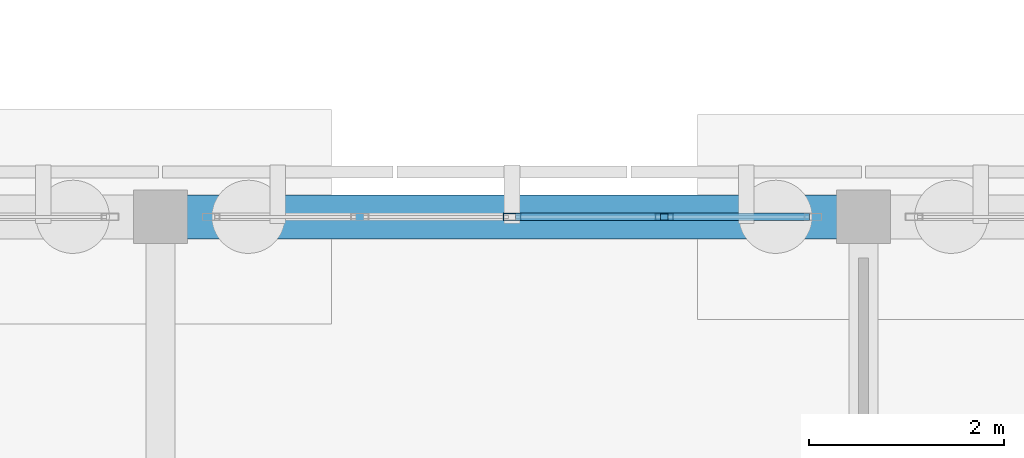
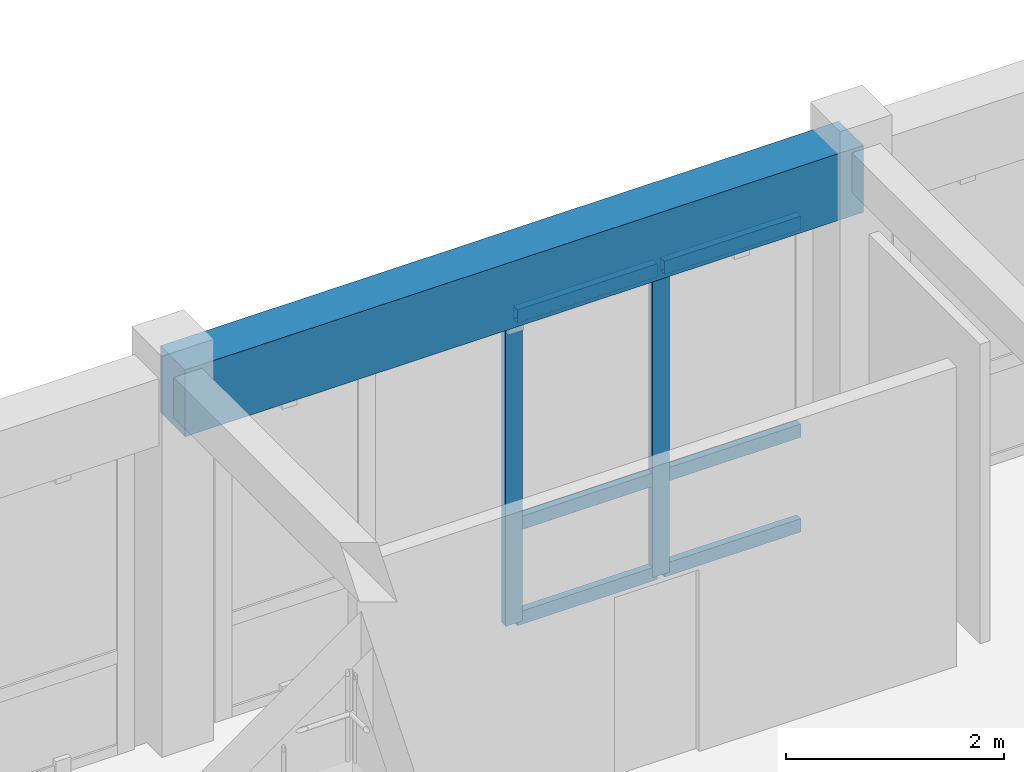
# One storey, part 29 of 111: 8 members, 1 beam, 1 element without a shape of its own.
"""IFC4 building model written with IfcOpenShell, lengths in metres."""

from ifc_helpers import new_model, si_unit, direction, frame, origin, origin_2d, place, context, subcontext, project, spatial, rectangle, hollow_rectangle, extrude, material, material_profile, profile_set, type_object, element, aggregate, save


model = new_model("IFC4")

# Units and contexts
model_context = context("Model", 3, precision=1e-05, world=origin(), true_north=direction((0.0, 1.0)))
body_context = subcontext(model_context, "Body", "Model", "MODEL_VIEW")
ifc_project = project(units=[si_unit("LENGTHUNIT", "METRE"), si_unit("AREAUNIT", "SQUARE_METRE"), si_unit("VOLUMEUNIT", "CUBIC_METRE"), si_unit("PLANEANGLEUNIT", "RADIAN"), si_unit("MASSUNIT", "GRAM", prefix="KILO")], contexts=[model_context])

# Site, building, storey
site_placement = place(None, origin())
site = spatial("IfcSite", under=ifc_project, at=site_placement, CompositionType="ELEMENT")
building_placement = place(site_placement, origin())
building = spatial("IfcBuilding", under=site, at=building_placement, Name="Aldebral Square Health Centre", CompositionType="ELEMENT")
storey_placement = place(building_placement, origin())
storey = spatial("IfcBuildingStorey", under=building, at=storey_placement, Name="L00", CompositionType="ELEMENT", Elevation=0.0)

# Beam
ifc_material_1 = material(Name="Concrete C40/50", Category="concrete")
ifc_material_profile_1 = material_profile(ifc_material_1, rectangle(XDim=0.449951171875, YDim=0.75, at=origin_2d()), Name="RC 450x750")
ifc_profile_set_1 = profile_set([ifc_material_profile_1], Name="Concrete C40/50")
beam_type = type_object("IfcBeamType", Name="BM-G2", PredefinedType="T_BEAM", material=ifc_profile_set_1)
beam_placement = place(storey_placement, frame((72.0, 100.800048828125, 3.844970703125), z_axis=(1.0, 0.0, 0.0), x_axis=(0.0, 1.0, 0.0)))
element("IfcBeam", 1, at=beam_placement, inside=storey, type_object=beam_type, Name="L00 X-beam 11-12/G15", PredefinedType="T_BEAM", context=body_context, shape_type="SweptSolid", body=[
    extrude(rectangle(XDim=0.449951171875, YDim=0.75, at=origin_2d()), origin(), (0.0, 0.0, 1.0), 7.199951171875),
])

# Curtain wall, members
ifc_material_2 = material(Name="Aluminium and low-E solar glass", Category="aluminium")
curtain_wall_type = type_object("IfcCurtainWallType", Name="CW-HALL-SYS", PredefinedType="USERDEFINED", material=ifc_material_2)
curtain_wall_placement = place(storey_placement, origin())
curtain_wall = element("IfcCurtainWall", 2, at=curtain_wall_placement, inside=storey, type_object=curtain_wall_type, Name="L00 V1 hall curtain wall L00-V1-10-13-N", ObjectType="HALL_CURTAIN_WALL", PredefinedType="USERDEFINED")
ifc_material_3 = material(Name="Anodised aluminium mullion", Category="aluminium")
ifc_material_profile_2 = material_profile(ifc_material_3, hollow_rectangle(XDim=0.074951171875, YDim=0.179931640625, WallThickness=0.00390625, at=origin_2d()), Name="CWM 75x180x4")
ifc_profile_set_2 = profile_set([ifc_material_profile_2], Name="Anodised aluminium mullion")
member_type_1 = type_object("IfcMemberType", Name="CWM-STD", PredefinedType="MULLION", material=ifc_profile_set_2)
member_1_placement = place(storey_placement, frame((77.159912109375, 100.800048828125, 0.0), z_axis=(0.0, 0.0, 1.0), x_axis=(0.0, -1.0, 0.0)))
member_1 = element("IfcMember", 3, at=member_1_placement, type_object=member_type_1, Name="CW2 mullion 2", PredefinedType="MULLION", context=body_context, shape_type="SweptSolid", body=[
    extrude(hollow_rectangle(XDim=0.074951171875, YDim=0.179931640625, WallThickness=0.00390625, at=origin_2d()), origin(), (0.0, 0.0, 1.0), 3.469970703125),
])
member_2_placement = place(storey_placement, frame((75.60009765625, 100.800048828125, 0.0), z_axis=(0.0, 0.0, 1.0), x_axis=(0.0, -1.0, 0.0)))
member_2 = element("IfcMember", 4, at=member_2_placement, type_object=member_type_1, Name="CW2 mullion 3", PredefinedType="MULLION", context=body_context, shape_type="SweptSolid", body=[
    extrude(hollow_rectangle(XDim=0.074951171875, YDim=0.179931640625, WallThickness=0.00390625, at=origin_2d()), origin(), (0.0, 0.0, 1.0), 3.469970703125),
])
ifc_material_4 = material(Name="Anodised aluminium transom", Category="aluminium")
ifc_material_profile_3 = material_profile(ifc_material_4, hollow_rectangle(XDim=0.074951171875, YDim=0.14990234375, WallThickness=0.00390625, at=origin_2d()), Name="CWT 75x150x4")
ifc_profile_set_3 = profile_set([ifc_material_profile_3], Name="Anodised aluminium transom")
member_type_2 = type_object("IfcMemberType", Name="CWT-STD", PredefinedType="USERDEFINED", material=ifc_profile_set_3)
member_3_placement = place(storey_placement, frame((78.64501953125, 100.800048828125, 0.03759765625), z_axis=(-1.0, 0.0, 0.0), x_axis=(0.0, -1.0, 0.0)))
member_3 = element("IfcMember", 5, at=member_3_placement, type_object=member_type_2, Name="CW2 transom 1.1", ObjectType="TRANSOM", PredefinedType="USERDEFINED", context=body_context, shape_type="SweptSolid", body=[
    extrude(hollow_rectangle(XDim=0.074951171875, YDim=0.14990234375, WallThickness=0.00390625, at=origin_2d()), origin(), (0.0, 0.0, 1.0), 1.447509765625),
])
member_4_placement = place(storey_placement, frame((78.64501953125, 100.800048828125, 1.10009765625), z_axis=(-1.0, 0.0, 0.0), x_axis=(0.0, -1.0, 0.0)))
member_4 = element("IfcMember", 6, at=member_4_placement, type_object=member_type_2, Name="CW2 transom 1.2", ObjectType="TRANSOM", PredefinedType="USERDEFINED", context=body_context, shape_type="SweptSolid", body=[
    extrude(hollow_rectangle(XDim=0.074951171875, YDim=0.14990234375, WallThickness=0.00390625, at=origin_2d()), origin(), (0.0, 0.0, 1.0), 1.447509765625),
])
member_5_placement = place(storey_placement, frame((78.64501953125, 100.800048828125, 3.4326171875), z_axis=(-1.0, 0.0, 0.0), x_axis=(0.0, -1.0, 0.0)))
member_5 = element("IfcMember", 7, at=member_5_placement, type_object=member_type_2, Name="CW2 transom 1.3", ObjectType="TRANSOM", PredefinedType="USERDEFINED", context=body_context, shape_type="SweptSolid", body=[
    extrude(hollow_rectangle(XDim=0.074951171875, YDim=0.14990234375, WallThickness=0.00390625, at=origin_2d()), origin(), (0.0, 0.0, 1.0), 1.447509765625),
])
member_6_placement = place(storey_placement, frame((77.12255859375, 100.800048828125, 0.03759765625), z_axis=(-1.0, 0.0, 0.0), x_axis=(0.0, -1.0, 0.0)))
member_6 = element("IfcMember", 8, at=member_6_placement, type_object=member_type_2, Name="CW2 transom 2.1", ObjectType="TRANSOM", PredefinedType="USERDEFINED", context=body_context, shape_type="SweptSolid", body=[
    extrude(hollow_rectangle(XDim=0.074951171875, YDim=0.14990234375, WallThickness=0.00390625, at=origin_2d()), origin(), (0.0, 0.0, 1.0), 1.485107421875),
])
member_7_placement = place(storey_placement, frame((77.12255859375, 100.800048828125, 1.10009765625), z_axis=(-1.0, 0.0, 0.0), x_axis=(0.0, -1.0, 0.0)))
member_7 = element("IfcMember", 9, at=member_7_placement, type_object=member_type_2, Name="CW2 transom 2.2", ObjectType="TRANSOM", PredefinedType="USERDEFINED", context=body_context, shape_type="SweptSolid", body=[
    extrude(hollow_rectangle(XDim=0.074951171875, YDim=0.14990234375, WallThickness=0.00390625, at=origin_2d()), origin(), (0.0, 0.0, 1.0), 1.485107421875),
])
member_8_placement = place(storey_placement, frame((77.12255859375, 100.800048828125, 3.4326171875), z_axis=(-1.0, 0.0, 0.0), x_axis=(0.0, -1.0, 0.0)))
member_8 = element("IfcMember", 10, at=member_8_placement, type_object=member_type_2, Name="CW2 transom 2.3", ObjectType="TRANSOM", PredefinedType="USERDEFINED", context=body_context, shape_type="SweptSolid", body=[
    extrude(hollow_rectangle(XDim=0.074951171875, YDim=0.14990234375, WallThickness=0.00390625, at=origin_2d()), origin(), (0.0, 0.0, 1.0), 1.485107421875),
])
aggregate(curtain_wall, [member_1, member_2, member_3, member_4, member_5, member_6, member_7, member_8])

save(model, "model.ifc")
